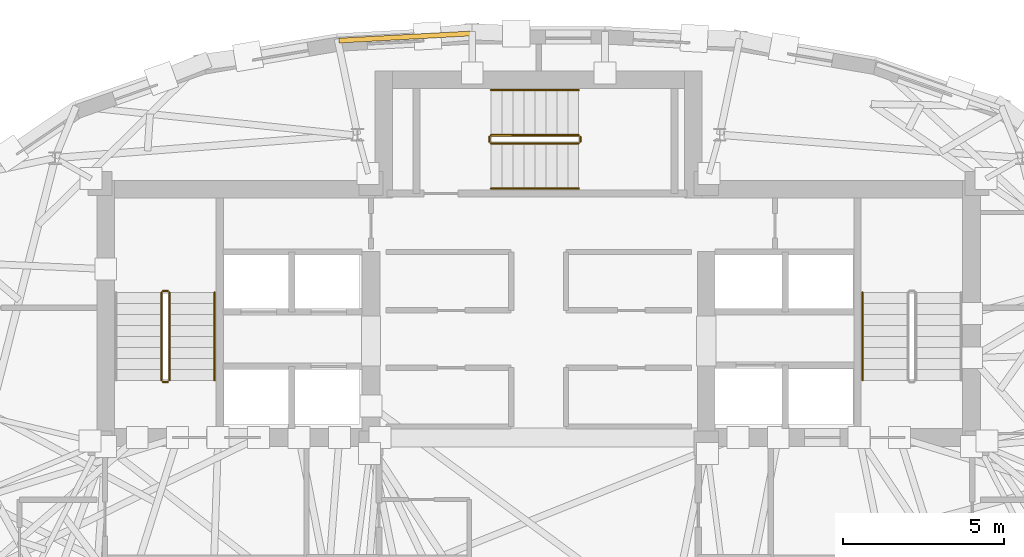
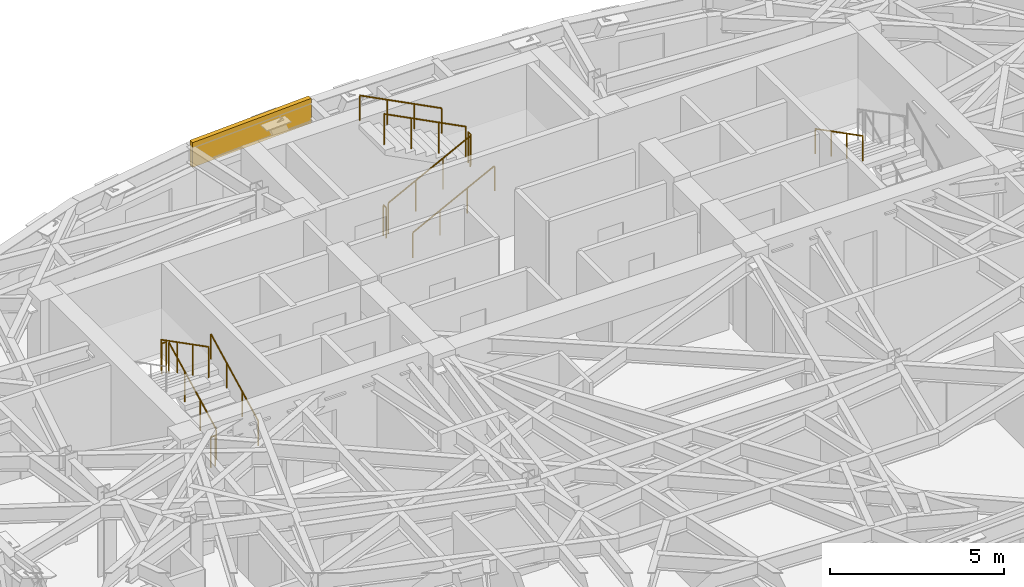
# One storey, part 11 of 12: 12 railings, 1 covering.
"""IFC4 building model written with IfcOpenShell, lengths in metres."""

from ifc_helpers import new_model, si_unit, direction, frame, origin, origin_2d, place, context, subcontext, project, spatial, rectangle, circle, extrude, material, layer, layer_set, type_object, element, save


model = new_model("IFC4")

# Units and contexts
model_context = context("Model", 3, precision=1e-05, world=origin(), true_north=direction((0.0, 1.0)))
body_context = subcontext(model_context, "Body", "Model", "MODEL_VIEW")
ifc_project = project(units=[si_unit("LENGTHUNIT", "METRE"), si_unit("AREAUNIT", "SQUARE_METRE"), si_unit("VOLUMEUNIT", "CUBIC_METRE"), si_unit("PLANEANGLEUNIT", "RADIAN"), si_unit("MASSUNIT", "GRAM", prefix="KILO")], contexts=[model_context])

# Site, building, storey
site_placement = place(None, origin())
site = spatial("IfcSite", under=ifc_project, at=site_placement, CompositionType="ELEMENT")
building_placement = place(site_placement, origin())
building = spatial("IfcBuilding", under=site, at=building_placement, Name="Keldmark Tower", CompositionType="ELEMENT")
storey_placement = place(building_placement, frame((0.0, 0.0, 254.10009765625)))
storey = spatial("IfcBuildingStorey", under=building, at=storey_placement, Name="L72", CompositionType="ELEMENT", Elevation=254.10009765625)

# Covering
ifc_material_1 = material(Name="Honed Kasota Buff Dolomitic Limestone", Category="masonry")
ifc_layer = layer(ifc_material_1, 0.074951171875)
ifc_layer_set = layer_set([ifc_layer], Name="Honed Kasota Buff Dolomitic Limestone")
covering_type = type_object("IfcCoveringType", Name="Kasota Buff Limestone Spandrel Cladding Band", PredefinedType="CLADDING", material=ifc_layer_set)
covering_placement = place(storey_placement, frame((-4.156982421875, 13.995361328125, 2.259765625), z_axis=(0.0, 0.0, 1.0), x_axis=(-0.998540443306, -0.054009101843, 0.0)))
element("IfcCovering", 1, at=covering_placement, inside=storey, type_object=covering_type, Name="L72 Kasota Limestone Spandrel Band 09", PredefinedType="CLADDING", context=body_context, shape_type="SweptSolid", body=[
    extrude(rectangle(XDim=4.080810546875, YDim=0.14990234375, at=origin_2d()), origin(), (0.0, 0.0, 1.0), 0.8701171875),
])

# Railings
ifc_material_2 = material(Name="Painted Steel ASTM A500 Grade B", Category="steel")
railing_type_1 = type_object("IfcRailingType", Name="Painted Steel Stair Well Guard 1100 mm", PredefinedType="GUARDRAIL", material=ifc_material_2)
railing_1_placement = place(storey_placement, frame((-11.449951171875, 3.35009765625, 0.1748046875)))
element("IfcRailing", 2, at=railing_1_placement, inside=storey, type_object=railing_type_1, Name="L72 ST1 stair guard 1", PredefinedType="GUARDRAIL", context=body_context, shape_type="SweptSolid", body=[
    extrude(circle(Radius=0.02392578125, at=origin_2d()), frame((0.0, 0.0, 1.076171875), z_axis=(0.0, 0.889114319608, 0.457685182924), x_axis=(-1.0, 0.0, 0.0)), (0.0, 0.0, 1.0), 3.05908203125),
    extrude(circle(Radius=0.02099609375, at=origin_2d()), origin(), (0.0, 0.0, 1.0), 1.052001953125),
    extrude(circle(Radius=0.02099609375, at=origin_2d()), frame((0.0, 0.90673828125, 0.466796875)), (0.0, 0.0, 1.0), 1.052001953125),
    extrude(circle(Radius=0.02099609375, at=origin_2d()), frame((0.0, 1.813232421875, 0.933349609375)), (0.0, 0.0, 1.0), 1.052001953125),
    extrude(circle(Radius=0.02099609375, at=origin_2d()), frame((0.0, 2.719970703125, 1.400146484375)), (0.0, 0.0, 1.0), 1.052001953125),
])
railing_2_placement = place(storey_placement, frame((-11.5, 6.1201171875, 1.574951171875)))
element("IfcRailing", 3, at=railing_2_placement, inside=storey, type_object=railing_type_1, Name="L72 ST1 stair guard 2", PredefinedType="GUARDRAIL", context=body_context, shape_type="SweptSolid", body=[
    extrude(circle(Radius=0.02392578125, at=origin_2d()), frame((0.0, 0.0, 1.076171875), z_axis=(-1.0, 0.0, 0.0), x_axis=(0.0, -1.0, 0.0)), (0.0, 0.0, 1.0), 0.14990234375),
    extrude(circle(Radius=0.02099609375, at=origin_2d()), origin(), (0.0, 0.0, 1.0), 1.052001953125),
    extrude(circle(Radius=0.02099609375, at=origin_2d()), frame((-0.14990234375, 0.0, 0.0)), (0.0, 0.0, 1.0), 1.052001953125),
])
railing_3_placement = place(storey_placement, frame((-11.699951171875, 6.070068359375, 1.75)))
element("IfcRailing", 4, at=railing_3_placement, inside=storey, type_object=railing_type_1, Name="L72 ST1 stair guard 3", PredefinedType="GUARDRAIL", context=body_context, shape_type="SweptSolid", body=[
    extrude(circle(Radius=0.02392578125, at=origin_2d()), frame((0.0, 0.0, 1.076171875), z_axis=(0.0, -0.889146794209, 0.457622091194), x_axis=(1.0, 0.0, 0.0)), (0.0, 0.0, 1.0), 3.05908203125),
    extrude(circle(Radius=0.02099609375, at=origin_2d()), origin(), (0.0, 0.0, 1.0), 1.052001953125),
    extrude(circle(Radius=0.02099609375, at=origin_2d()), frame((0.0, -0.90673828125, 0.466552734375)), (0.0, 0.0, 1.0), 1.052001953125),
    extrude(circle(Radius=0.02099609375, at=origin_2d()), frame((0.0, -1.813232421875, 0.933349609375)), (0.0, 0.0, 1.0), 1.052001953125),
    extrude(circle(Radius=0.02099609375, at=origin_2d()), frame((0.0, -2.719970703125, 1.39990234375)), (0.0, 0.0, 1.0), 1.052001953125),
])
railing_4_placement = place(storey_placement, frame((-11.5, 3.300048828125, 0.0)))
element("IfcRailing", 5, at=railing_4_placement, inside=storey, type_object=railing_type_1, Name="L72 ST1 stair guard 4", PredefinedType="GUARDRAIL", context=body_context, shape_type="SweptSolid", body=[
    extrude(circle(Radius=0.02392578125, at=origin_2d()), frame((0.0, 0.0, 1.076171875), z_axis=(-1.0, 0.0, 0.0), x_axis=(0.0, -1.0, 0.0)), (0.0, 0.0, 1.0), 0.14990234375),
    extrude(circle(Radius=0.02099609375, at=origin_2d()), origin(), (0.0, 0.0, 1.0), 1.052001953125),
    extrude(circle(Radius=0.02099609375, at=origin_2d()), frame((-0.14990234375, 0.0, 0.0)), (0.0, 0.0, 1.0), 1.052001953125),
])
railing_5_placement = place(storey_placement, frame((-1.47509765625, 10.699951171875, 0.1748046875)))
element("IfcRailing", 6, at=railing_5_placement, inside=storey, type_object=railing_type_1, Name="L72 ST3 stair guard 1", PredefinedType="GUARDRAIL", context=body_context, shape_type="SweptSolid", body=[
    extrude(circle(Radius=0.02392578125, at=origin_2d()), frame((0.0, 0.0, 1.076171875), z_axis=(0.889131035167, 0.0, 0.45765270927), x_axis=(0.0, 1.0, 0.0)), (0.0, 0.0, 1.0), 3.059326171875),
    extrude(circle(Radius=0.02099609375, at=origin_2d()), origin(), (0.0, 0.0, 1.0), 1.052001953125),
    extrude(circle(Radius=0.02099609375, at=origin_2d()), frame((0.90673828125, 0.0, 0.466796875)), (0.0, 0.0, 1.0), 1.052001953125),
    extrude(circle(Radius=0.02099609375, at=origin_2d()), frame((1.8134765625, 0.0, 0.933349609375)), (0.0, 0.0, 1.0), 1.052001953125),
    extrude(circle(Radius=0.02099609375, at=origin_2d()), frame((2.72021484375, 0.0, 1.400146484375)), (0.0, 0.0, 1.0), 1.052001953125),
])
railing_6_placement = place(storey_placement, frame((1.294921875, 10.75, 1.574951171875)))
element("IfcRailing", 7, at=railing_6_placement, inside=storey, type_object=railing_type_1, Name="L72 ST3 stair guard 2", PredefinedType="GUARDRAIL", context=body_context, shape_type="SweptSolid", body=[
    extrude(circle(Radius=0.02392578125, at=origin_2d()), frame((0.0, 0.0, 1.076171875), z_axis=(0.0, 1.0, 0.0), x_axis=(-1.0, 0.0, 0.0)), (0.0, 0.0, 1.0), 0.14990234375),
    extrude(circle(Radius=0.02099609375, at=origin_2d()), origin(), (0.0, 0.0, 1.0), 1.052001953125),
    extrude(circle(Radius=0.02099609375, at=origin_2d()), frame((0.0, 0.14990234375, 0.0)), (0.0, 0.0, 1.0), 1.052001953125),
])
railing_7_placement = place(storey_placement, frame((1.2451171875, 10.949951171875, 1.75)))
element("IfcRailing", 8, at=railing_7_placement, inside=storey, type_object=railing_type_1, Name="L72 ST3 stair guard 3", PredefinedType="GUARDRAIL", context=body_context, shape_type="SweptSolid", body=[
    extrude(circle(Radius=0.02392578125, at=origin_2d()), frame((0.0, 0.0, 1.076171875), z_axis=(-0.88916350577, 0.0, 0.457589619645), x_axis=(0.0, -1.0, 0.0)), (0.0, 0.0, 1.0), 3.059326171875),
    extrude(circle(Radius=0.02099609375, at=origin_2d()), origin(), (0.0, 0.0, 1.0), 1.052001953125),
    extrude(circle(Radius=0.02099609375, at=origin_2d()), frame((-0.90673828125, 0.0, 0.466552734375)), (0.0, 0.0, 1.0), 1.052001953125),
    extrude(circle(Radius=0.02099609375, at=origin_2d()), frame((-1.8134765625, 0.0, 0.933349609375)), (0.0, 0.0, 1.0), 1.052001953125),
    extrude(circle(Radius=0.02099609375, at=origin_2d()), frame((-2.72021484375, 0.0, 1.39990234375)), (0.0, 0.0, 1.0), 1.052001953125),
])
railing_8_placement = place(storey_placement, frame((-1.52490234375, 10.75, 0.0)))
element("IfcRailing", 9, at=railing_8_placement, inside=storey, type_object=railing_type_1, Name="L72 ST3 stair guard 4", PredefinedType="GUARDRAIL", context=body_context, shape_type="SweptSolid", body=[
    extrude(circle(Radius=0.02392578125, at=origin_2d()), frame((0.0, 0.0, 1.076171875), z_axis=(0.0, 1.0, 0.0), x_axis=(-1.0, 0.0, 0.0)), (0.0, 0.0, 1.0), 0.14990234375),
    extrude(circle(Radius=0.02099609375, at=origin_2d()), origin(), (0.0, 0.0, 1.0), 1.052001953125),
    extrude(circle(Radius=0.02099609375, at=origin_2d()), frame((0.0, 0.14990234375, 0.0)), (0.0, 0.0, 1.0), 1.052001953125),
])
ifc_material_3 = material(Name="Stainless Steel AISI 316L", Category="steel")
railing_type_2 = type_object("IfcRailingType", Name="Stainless Steel Stair Handrail 900 mm", PredefinedType="HANDRAIL", material=ifc_material_3)
railing_9_placement = place(storey_placement, frame((-10.050048828125, 3.35009765625, 0.1748046875)))
element("IfcRailing", 10, at=railing_9_placement, inside=storey, type_object=railing_type_2, Name="L72 ST1 stair handrail 1", PredefinedType="HANDRAIL", context=body_context, shape_type="SweptSolid", body=[
    extrude(circle(Radius=0.02392578125, at=origin_2d()), frame((0.0, 0.0, 0.8759765625), z_axis=(0.0, 0.889114319608, 0.457685182924), x_axis=(-1.0, 0.0, 0.0)), (0.0, 0.0, 1.0), 3.05908203125),
    extrude(circle(Radius=0.02099609375, at=origin_2d()), origin(), (0.0, 0.0, 1.0), 0.851806640625),
    extrude(circle(Radius=0.02099609375, at=origin_2d()), frame((0.0, 0.90673828125, 0.466796875)), (0.0, 0.0, 1.0), 0.851806640625),
    extrude(circle(Radius=0.02099609375, at=origin_2d()), frame((0.0, 1.813232421875, 0.933349609375)), (0.0, 0.0, 1.0), 0.851806640625),
    extrude(circle(Radius=0.02099609375, at=origin_2d()), frame((0.0, 2.719970703125, 1.400146484375)), (0.0, 0.0, 1.0), 0.851806640625),
])
railing_10_placement = place(storey_placement, frame((10.050048828125, 6.070068359375, 1.75)))
element("IfcRailing", 11, at=railing_10_placement, inside=storey, type_object=railing_type_2, Name="L72 ST2 stair handrail 2", PredefinedType="HANDRAIL", context=body_context, shape_type="SweptSolid", body=[
    extrude(circle(Radius=0.02392578125, at=origin_2d()), frame((0.0, 0.0, 0.8759765625), z_axis=(0.0, -0.889146794209, 0.457622091194), x_axis=(1.0, 0.0, 0.0)), (0.0, 0.0, 1.0), 3.05908203125),
    extrude(circle(Radius=0.02099609375, at=origin_2d()), origin(), (0.0, 0.0, 1.0), 0.851806640625),
    extrude(circle(Radius=0.02099609375, at=origin_2d()), frame((0.0, -0.90673828125, 0.466552734375)), (0.0, 0.0, 1.0), 0.851806640625),
    extrude(circle(Radius=0.02099609375, at=origin_2d()), frame((0.0, -1.813232421875, 0.933349609375)), (0.0, 0.0, 1.0), 0.851806640625),
    extrude(circle(Radius=0.02099609375, at=origin_2d()), frame((0.0, -2.719970703125, 1.39990234375)), (0.0, 0.0, 1.0), 0.851806640625),
])
railing_11_placement = place(storey_placement, frame((-1.47509765625, 9.300048828125, 0.1748046875)))
element("IfcRailing", 12, at=railing_11_placement, inside=storey, type_object=railing_type_2, Name="L72 ST3 stair handrail 1", PredefinedType="HANDRAIL", context=body_context, shape_type="SweptSolid", body=[
    extrude(circle(Radius=0.02392578125, at=origin_2d()), frame((0.0, 0.0, 0.8759765625), z_axis=(0.889131035167, 0.0, 0.45765270927), x_axis=(0.0, 1.0, 0.0)), (0.0, 0.0, 1.0), 3.059326171875),
    extrude(circle(Radius=0.02099609375, at=origin_2d()), origin(), (0.0, 0.0, 1.0), 0.851806640625),
    extrude(circle(Radius=0.02099609375, at=origin_2d()), frame((0.90673828125, 0.0, 0.466796875)), (0.0, 0.0, 1.0), 0.851806640625),
    extrude(circle(Radius=0.02099609375, at=origin_2d()), frame((1.8134765625, 0.0, 0.933349609375)), (0.0, 0.0, 1.0), 0.851806640625),
    extrude(circle(Radius=0.02099609375, at=origin_2d()), frame((2.72021484375, 0.0, 1.400146484375)), (0.0, 0.0, 1.0), 0.851806640625),
])
railing_12_placement = place(storey_placement, frame((1.2451171875, 12.35009765625, 1.75)))
element("IfcRailing", 13, at=railing_12_placement, inside=storey, type_object=railing_type_2, Name="L72 ST3 stair handrail 2", PredefinedType="HANDRAIL", context=body_context, shape_type="SweptSolid", body=[
    extrude(circle(Radius=0.02392578125, at=origin_2d()), frame((0.0, 0.0, 0.8759765625), z_axis=(-0.88916350577, 0.0, 0.457589619645), x_axis=(0.0, -1.0, 0.0)), (0.0, 0.0, 1.0), 3.059326171875),
    extrude(circle(Radius=0.02099609375, at=origin_2d()), origin(), (0.0, 0.0, 1.0), 0.851806640625),
    extrude(circle(Radius=0.02099609375, at=origin_2d()), frame((-0.90673828125, 0.0, 0.466552734375)), (0.0, 0.0, 1.0), 0.851806640625),
    extrude(circle(Radius=0.02099609375, at=origin_2d()), frame((-1.8134765625, 0.0, 0.933349609375)), (0.0, 0.0, 1.0), 0.851806640625),
    extrude(circle(Radius=0.02099609375, at=origin_2d()), frame((-2.72021484375, 0.0, 1.39990234375)), (0.0, 0.0, 1.0), 0.851806640625),
])

save(model, "model.ifc")
